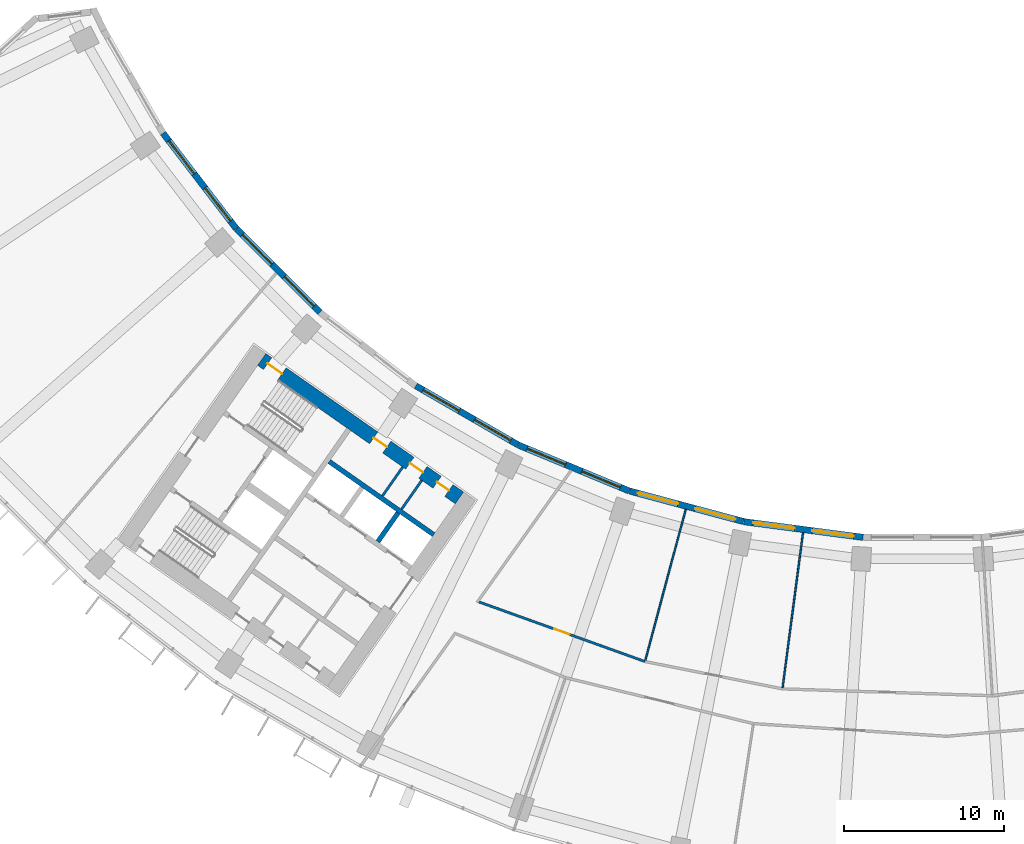
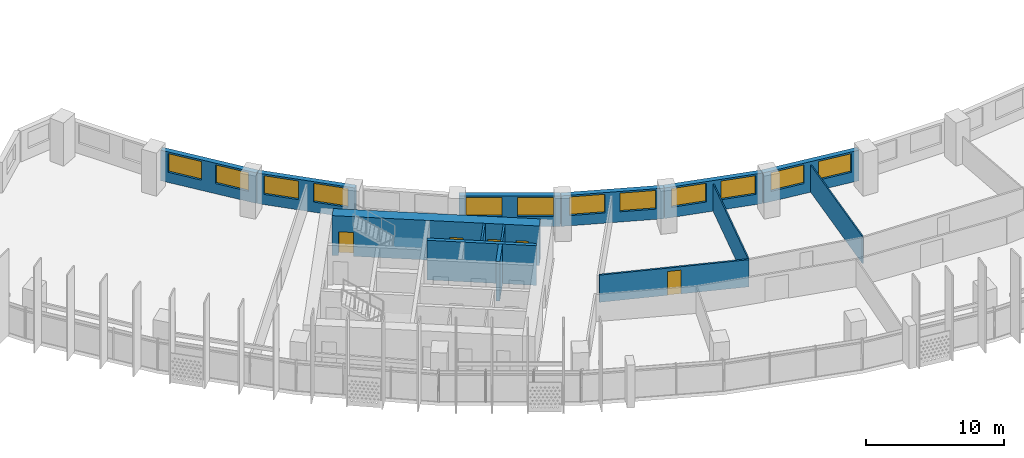
# One storey, part 4 of 30: 14 walls, 12 windows, 5 doors, 17 openings.
"""IFC4 building model written with IfcOpenShell, lengths in metres."""

from ifc_helpers import new_model, si_unit, direction, frame, frame_2d, origin, place, context, subcontext, project, spatial, rectangle, extrude, material, layer, layer_set, type_object, element, fill, save


model = new_model("IFC4")

# Units and contexts
model_context = context("Model", 3, precision=1e-05, world=origin(), true_north=direction((0.0, 1.0)))
body_context = subcontext(model_context, "Body", "Model", "MODEL_VIEW")
ifc_project = project(units=[si_unit("LENGTHUNIT", "METRE"), si_unit("AREAUNIT", "SQUARE_METRE"), si_unit("VOLUMEUNIT", "CUBIC_METRE"), si_unit("PLANEANGLEUNIT", "RADIAN"), si_unit("MASSUNIT", "GRAM", prefix="KILO")], contexts=[model_context])

# Site, building, storey
site_placement = place(None, origin())
site = spatial("IfcSite", under=ifc_project, at=site_placement, CompositionType="ELEMENT")
building_placement = place(site_placement, origin())
building = spatial("IfcBuilding", under=site, at=building_placement, Name="Qamariyya Broadcast Tower", CompositionType="ELEMENT")
storey_placement = place(building_placement, frame((0.0, 0.0, 102.5)))
storey = spatial("IfcBuildingStorey", under=building, at=storey_placement, Name="L22", CompositionType="ELEMENT", Elevation=102.5)

# Wall, openings, doors
ifc_material_1 = material(Name="Concrete C70/85", Category="concrete")
ifc_layer_1 = layer(ifc_material_1, 0.89990234375)
ifc_layer_set_1 = layer_set([ifc_layer_1], Name="Core wall 900 mm Concrete C70/85")
wall_type_1 = type_object("IfcWallType", Name="Core wall 900 mm Concrete C70/85", PredefinedType="SHEAR", material=ifc_layer_set_1)
wall_1_placement = place(storey_placement, frame((-28.8544921875, -54.32421875, 0.0), z_axis=(0.0, 0.0, 1.0), x_axis=(-0.819145767589, 0.573585400304, 0.0)))
wall_1 = element("IfcWall", 1, at=wall_1_placement, inside=storey, type_object=wall_type_1, Name="k-W-L22-WI", PredefinedType="SHEAR", context=body_context, shape_type="SweptSolid", body=[
    extrude(rectangle(XDim=15.04541015625, YDim=0.89990234375, at=frame_2d((7.522705078125, 0.0))), origin(), (0.0, 0.0, 1.0), 3.5),
])
opening_1_placement = place(wall_1_placement, frame((0.800048828125, 0.0, 0.0)))
opening_1 = element("IfcOpeningElement", 2, at=opening_1_placement, cuts=wall_1, Name="Opening KD5-W1", PredefinedType="OPENING", context=body_context, shape_type="SweptSolid", body=[
    extrude(rectangle(XDim=0.89990234375, YDim=2.10009765625, at=frame_2d((0.449951171875, 1.050048828125))), frame((0.0, 0.4599609375, 0.0), z_axis=(0.0, -1.0, 0.0), x_axis=(1.0, 0.0, 0.0)), (0.0, 0.0, 1.0), 0.919921875),
])
opening_2_placement = place(wall_1_placement, frame((2.77490234375, 0.0, 0.0)))
opening_2 = element("IfcOpeningElement", 3, at=opening_2_placement, cuts=wall_1, Name="Opening KD7-W1", PredefinedType="OPENING", context=body_context, shape_type="SweptSolid", body=[
    extrude(rectangle(XDim=1.0, YDim=2.10009765625, at=frame_2d((0.5, 1.050048828125))), frame((0.0, 0.4599609375, 0.0), z_axis=(0.0, -1.0, 0.0), x_axis=(1.0, 0.0, 0.0)), (0.0, 0.0, 1.0), 0.919921875),
])
opening_3_placement = place(wall_1_placement, frame((5.52490234375, 0.0, 0.0)))
opening_3 = element("IfcOpeningElement", 4, at=opening_3_placement, cuts=wall_1, Name="Opening KD6-W2", PredefinedType="OPENING", context=body_context, shape_type="SweptSolid", body=[
    extrude(rectangle(XDim=1.0, YDim=2.10009765625, at=frame_2d((0.5, 1.050048828125))), frame((0.0, 0.4599609375, 0.0), z_axis=(0.0, -1.0, 0.0), x_axis=(1.0, 0.0, 0.0)), (0.0, 0.0, 1.0), 0.919921875),
])
opening_4_placement = place(wall_1_placement, frame((13.495361328125, 0.0, 0.0)))
opening_4 = element("IfcOpeningElement", 5, at=opening_4_placement, cuts=wall_1, Name="Opening KD1-W1", PredefinedType="OPENING", context=body_context, shape_type="SweptSolid", body=[
    extrude(rectangle(XDim=1.10009765625, YDim=2.10009765625, at=frame_2d((0.550048828125, 1.050048828125))), frame((0.0, 0.4599609375, 0.0), z_axis=(0.0, -1.0, 0.0), x_axis=(1.0, 0.0, 0.0)), (0.0, 0.0, 1.0), 0.919921875),
])
ifc_material_2 = material(Name="Steel fire-resisting door leaf", Category="steel")
door_type_1 = type_object("IfcDoorType", Name="Accessible toilet door KD7", OperationType="SINGLE_SWING_LEFT", PredefinedType="DOOR", material=ifc_material_2)
door_1_placement = place(opening_2_placement, origin())
door_1 = element("IfcDoor", 6, at=door_1_placement, inside=storey, type_object=door_type_1, Name="k-W-L22-WI-D8", OperationType="SINGLE_SWING_LEFT", OverallHeight=2.10009765625, OverallWidth=1.0, PredefinedType="DOOR", context=body_context, shape_type="SweptSolid", body=[
    extrude(rectangle(XDim=1.0, YDim=2.10009765625, at=frame_2d((0.5, 1.050048828125))), frame((0.0, 0.02490234375, 0.0), z_axis=(0.0, -1.0, 0.0), x_axis=(1.0, 0.0, 0.0)), (0.0, 0.0, 1.0), 0.050048828125),
])
fill(opening_2, door_1)
door_type_2 = type_object("IfcDoorType", Name="Core room door KD6", OperationType="SINGLE_SWING_LEFT", PredefinedType="DOOR", material=ifc_material_2)
door_2_placement = place(opening_3_placement, origin())
door_2 = element("IfcDoor", 7, at=door_2_placement, inside=storey, type_object=door_type_2, Name="k-W-L22-WI-D9", OperationType="SINGLE_SWING_RIGHT", OverallHeight=2.10009765625, OverallWidth=1.0, PredefinedType="DOOR", context=body_context, shape_type="SweptSolid", body=[
    extrude(rectangle(XDim=1.0, YDim=2.10009765625, at=frame_2d((0.5, 1.050048828125))), frame((0.0, 0.02490234375, 0.0), z_axis=(0.0, -1.0, 0.0), x_axis=(1.0, 0.0, 0.0)), (0.0, 0.0, 1.0), 0.050048828125),
])
fill(opening_3, door_2)
door_type_3 = type_object("IfcDoorType", Name="Stair door KD1", OperationType="SINGLE_SWING_LEFT", PredefinedType="DOOR", material=ifc_material_2)
door_3_placement = place(opening_4_placement, origin())
door_3 = element("IfcDoor", 8, at=door_3_placement, inside=storey, type_object=door_type_3, Name="k-W-L22-WI-D16", OperationType="SINGLE_SWING_RIGHT", OverallHeight=2.10009765625, OverallWidth=1.10009765625, PredefinedType="DOOR", context=body_context, shape_type="SweptSolid", body=[
    extrude(rectangle(XDim=1.10009765625, YDim=2.10009765625, at=frame_2d((0.550048828125, 1.050048828125))), frame((0.0, 0.02490234375, 0.0), z_axis=(0.0, -1.0, 0.0), x_axis=(1.0, 0.0, 0.0)), (0.0, 0.0, 1.0), 0.050048828125),
])
fill(opening_4, door_3)
door_type_4 = type_object("IfcDoorType", Name="Toilet door KD5", OperationType="SINGLE_SWING_LEFT", PredefinedType="DOOR", material=ifc_material_2)
door_4_placement = place(opening_1_placement, origin())
door_4 = element("IfcDoor", 9, at=door_4_placement, inside=storey, type_object=door_type_4, Name="k-W-L22-WI-D7", OperationType="SINGLE_SWING_RIGHT", OverallHeight=2.10009765625, OverallWidth=0.89990234375, PredefinedType="DOOR", context=body_context, shape_type="SweptSolid", body=[
    extrude(rectangle(XDim=0.89990234375, YDim=2.10009765625, at=frame_2d((0.449951171875, 1.050048828125))), frame((0.0, 0.02490234375, 0.0), z_axis=(0.0, -1.0, 0.0), x_axis=(1.0, 0.0, 0.0)), (0.0, 0.0, 1.0), 0.050048828125),
])
fill(opening_1, door_4)

# Wall, opening, door
ifc_material_3 = material(Name="Gypsum board partition")
ifc_layer_2 = layer(ifc_material_3, 0.14990234375)
ifc_layer_set_2 = layer_set([ifc_layer_2], Name="Corridor partition 150 EI 60")
wall_type_2 = type_object("IfcWallType", Name="Corridor partition 150 EI 60", PredefinedType="PARTITIONING", material=ifc_layer_set_2)
wall_2_placement = place(storey_placement, frame((-27.64013671875, -60.806640625, 0.0), z_axis=(0.0, 0.0, 1.0), x_axis=(0.941150861554, -0.337986768669, 0.0)))
wall_2 = element("IfcWall", 10, at=wall_2_placement, inside=storey, type_object=wall_type_2, Name="Partition L22-004", PredefinedType="PARTITIONING", context=body_context, shape_type="SweptSolid", body=[
    extrude(rectangle(XDim=10.998291015625, YDim=0.14990234375, at=frame_2d((5.4990234375, 0.0))), origin(), (0.0, 0.0, 1.0), 2.39990234375),
])
opening_5_placement = place(wall_2_placement, frame((4.9990234375, 0.0, 0.0)))
opening_5 = element("IfcOpeningElement", 11, at=opening_5_placement, cuts=wall_2, Name="Opening L22-D05", PredefinedType="OPENING", context=body_context, shape_type="SweptSolid", body=[
    extrude(rectangle(XDim=1.0, YDim=2.10009765625, at=frame_2d((0.5, 1.050048828125))), frame((0.0, 0.0849609375, 0.0), z_axis=(0.0, -1.0, 0.0), x_axis=(1.0, 0.0, 0.0)), (0.0, 0.0, 1.0), 0.169921875),
])
ifc_material_4 = material(Name="Timber fire door leaf", Category="wood")
door_type_5 = type_object("IfcDoorType", Name="Fire door 1000 x 2100 FD60", OperationType="NOTDEFINED", PredefinedType="DOOR", material=ifc_material_4)
door_5_placement = place(opening_5_placement, origin())
door_5 = element("IfcDoor", 12, at=door_5_placement, inside=storey, type_object=door_type_5, Name="Door L22-D05", OperationType="SINGLE_SWING_RIGHT", OverallHeight=2.10009765625, OverallWidth=1.0, PredefinedType="DOOR", context=body_context, shape_type="SweptSolid", body=[
    extrude(rectangle(XDim=1.0, YDim=2.10009765625, at=frame_2d((0.5, 1.050048828125))), frame((0.0, 0.02490234375, 0.0), z_axis=(0.0, -1.0, 0.0), x_axis=(1.0, 0.0, 0.0)), (0.0, 0.0, 1.0), 0.050048828125),
])
fill(opening_5, door_5)

# Walls
ifc_material_5 = material(Name="Gypsum board partition on steel studs", Category="steel")
ifc_layer_3 = layer(ifc_material_5, 0.14990234375)
ifc_layer_set_3 = layer_set([ifc_layer_3], Name="Gypsum board partition 150 mm")
wall_type_3 = type_object("IfcWallType", Name="Gypsum board partition 150 mm", PredefinedType="PARTITIONING", material=ifc_layer_set_3)
wall_3_placement = place(storey_placement, frame((-32.46337890625, -55.0322265625, 0.0), z_axis=(0.0, 0.0, 1.0), x_axis=(0.573507030513, 0.819200638399, 0.0)))
element("IfcWall", 13, at=wall_3_placement, inside=storey, type_object=wall_type_3, Name="k-W-L22-NP255", PredefinedType="PARTITIONING", context=body_context, shape_type="SweptSolid", body=[
    extrude(rectangle(XDim=2.199951171875, YDim=0.14990234375, at=frame_2d((1.10009765625, 0.0))), origin(), (0.0, 0.0, 1.0), 3.5),
])
wall_4_placement = place(storey_placement, frame((-33.651123046875, -54.200439453125, 0.0), z_axis=(0.0, 0.0, 1.0), x_axis=(0.573559170999, 0.819164133348, 0.0)))
element("IfcWall", 14, at=wall_4_placement, inside=storey, type_object=wall_type_3, Name="k-W-L22-NP400", PredefinedType="PARTITIONING", context=body_context, shape_type="SweptSolid", body=[
    extrude(rectangle(XDim=2.19970703125, YDim=0.14990234375, at=frame_2d((1.099853515625, 0.0))), origin(), (0.0, 0.0, 1.0), 3.5),
])
ifc_material_6 = material(Name="Concrete C60/75", Category="concrete")
ifc_layer_4 = layer(ifc_material_6, 0.300048828125)
ifc_layer_set_4 = layer_set([ifc_layer_4], Name="Lift shaft wall 300 mm Concrete C60/75")
wall_type_4 = type_object("IfcWallType", Name="Lift shaft wall 300 mm Concrete C60/75", PredefinedType="SOLIDWALL", material=ifc_layer_set_4)
wall_5_placement = place(storey_placement, frame((-30.460693359375, -56.61767578125, 0.0), z_axis=(0.0, 0.0, 1.0), x_axis=(-0.819142461705, 0.573590121456, 0.0)))
element("IfcWall", 15, at=wall_5_placement, inside=storey, type_object=wall_type_4, Name="k-W-L22-NB0", PredefinedType="SOLIDWALL", context=body_context, shape_type="SweptSolid", body=[
    extrude(rectangle(XDim=7.949951171875, YDim=0.300048828125, at=frame_2d((3.97509765625, 0.0))), origin(), (0.0, 0.0, 1.0), 3.5),
])
wall_6_placement = place(storey_placement, frame((-33.9384765625, -57.051513671875, 0.0), z_axis=(0.0, 0.0, 1.0), x_axis=(0.573581496053, 0.819148501424, 0.0)))
element("IfcWall", 16, at=wall_6_placement, inside=storey, type_object=wall_type_4, Name="k-W-L22-ND0", PredefinedType="SOLIDWALL", context=body_context, shape_type="SweptSolid", body=[
    extrude(rectangle(XDim=2.2001953125, YDim=0.300048828125, at=frame_2d((1.10009765625, 0.0))), origin(), (0.0, 0.0, 1.0), 3.5),
])
ifc_layer_5 = layer(ifc_material_3, 0.10009765625)
ifc_layer_set_5 = layer_set([ifc_layer_5], Name="Partition 100")
wall_type_5 = type_object("IfcWallType", Name="Partition 100", PredefinedType="PARTITIONING", material=ifc_layer_set_5)
for number, where, z_axis, x_axis, name in (
    (17, (-14.7470703125, -55.037109375, 0.0), (0.0, 0.0, 1.0), (-0.258833329344, -0.965921998725, 0.0), "Partition L22-009"),
    (18, (-7.437255859375, -56.4912109375, 0.0), (0.0, 0.0, 1.0), (-0.13053421433, -0.99144380521, 0.0), "Partition L22-013"),
):
    element("IfcWall", number, at=place(storey_placement, frame(where, z_axis=z_axis, x_axis=x_axis)), inside=storey, type_object=wall_type_5, Name=name, PredefinedType="PARTITIONING", context=body_context, shape_type="SweptSolid", body=[
        extrude(rectangle(XDim=9.746337890625, YDim=0.10009765625, at=frame_2d((4.873046875, 0.0))), origin(), (0.0, 0.0, 1.0), 2.39990234375),
    ])

# Wall, openings, windows
ifc_material_7 = material(Name="Terracotta", Category="masonry")
ifc_layer_6 = layer(ifc_material_7, 0.39990234375)
ifc_layer_set_6 = layer_set([ifc_layer_6], Name="Terracotta clad wall 400")
wall_type_6 = type_object("IfcWallType", Name="Terracotta clad wall 400", PredefinedType="SOLIDWALL", material=ifc_layer_set_6)
wall_7_placement = place(storey_placement, frame((-42.764892578125, -37.536865234375, 0.0), z_axis=(0.0, 0.0, 1.0), x_axis=(-0.608748204711, 0.793363487476, 0.0)))
wall_7 = element("IfcWall", 19, at=wall_7_placement, inside=storey, type_object=wall_type_6, Name="e-wl-L22-in20", PredefinedType="SOLIDWALL", context=body_context, shape_type="SweptSolid", body=[
    extrude(rectangle(XDim=7.492919921875, YDim=0.39990234375, at=frame_2d((3.74658203125, 0.0))), origin(), (0.0, 0.0, 1.0), 2.699951171875),
])
opening_6_placement = place(wall_7_placement, frame((4.300537109375, 0.0, 0.89990234375)))
opening_6 = element("IfcOpeningElement", 20, at=opening_6_placement, cuts=wall_7, Name="Opening W1", PredefinedType="OPENING", context=body_context, shape_type="SweptSolid", body=[
    extrude(rectangle(XDim=2.60009765625, YDim=1.64990234375, at=frame_2d((1.300048828125, 0.824951171875))), frame((0.0, 0.2099609375, 0.0), z_axis=(0.0, -1.0, 0.0), x_axis=(1.0, 0.0, 0.0)), (0.0, 0.0, 1.0), 0.419921875),
])
opening_7_placement = place(wall_7_placement, frame((0.59228515625, 0.0, 0.89990234375)))
opening_7 = element("IfcOpeningElement", 21, at=opening_7_placement, cuts=wall_7, Name="Opening W1", PredefinedType="OPENING", context=body_context, shape_type="SweptSolid", body=[
    extrude(rectangle(XDim=2.60009765625, YDim=1.64990234375, at=frame_2d((1.300048828125, 0.824951171875))), frame((0.0, 0.2099609375, 0.0), z_axis=(0.0, -1.0, 0.0), x_axis=(1.0, 0.0, 0.0)), (0.0, 0.0, 1.0), 0.419921875),
])
ifc_material_8 = material(Name="Clear low-e double glazed unit in aluminium frame", Category="aluminium")
window_type = type_object("IfcWindowType", Name="Ribbon window 2600 x 1650", PartitioningType="SINGLE_PANEL", PredefinedType="WINDOW", material=ifc_material_8)
window_1_placement = place(opening_6_placement, origin())
window_1 = element("IfcWindow", 22, at=window_1_placement, inside=storey, type_object=window_type, Name="e-w-L22-in02-0", OverallHeight=1.64990234375, OverallWidth=2.60009765625, PartitioningType="SINGLE_PANEL", PredefinedType="WINDOW", context=body_context, shape_type="SweptSolid", body=[
    extrude(rectangle(XDim=2.60009765625, YDim=1.64990234375, at=frame_2d((1.300048828125, 0.824951171875))), frame((0.0, 0.030029296875, 0.0), z_axis=(0.0, -1.0, 0.0), x_axis=(1.0, 0.0, 0.0)), (0.0, 0.0, 1.0), 0.06005859375),
])
fill(opening_6, window_1)
window_2_placement = place(opening_7_placement, origin())
window_2 = element("IfcWindow", 23, at=window_2_placement, inside=storey, type_object=window_type, Name="e-w-L22-in02-1", OverallHeight=1.64990234375, OverallWidth=2.60009765625, PartitioningType="SINGLE_PANEL", PredefinedType="WINDOW", context=body_context, shape_type="SweptSolid", body=[
    extrude(rectangle(XDim=2.60009765625, YDim=1.64990234375, at=frame_2d((1.300048828125, 0.824951171875))), frame((0.0, 0.030029296875, 0.0), z_axis=(0.0, -1.0, 0.0), x_axis=(1.0, 0.0, 0.0)), (0.0, 0.0, 1.0), 0.06005859375),
])
fill(opening_7, window_2)

wall_8_placement = place(storey_placement, frame((-37.552978515625, -42.744140625, 0.0), z_axis=(0.0, 0.0, 1.0), x_axis=(-0.707106781187, 0.707106781187, 0.0)))
wall_8 = element("IfcWall", 24, at=wall_8_placement, inside=storey, type_object=wall_type_6, Name="e-wl-L22-in30", PredefinedType="SOLIDWALL", context=body_context, shape_type="SweptSolid", body=[
    extrude(rectangle(XDim=7.34130859375, YDim=0.39990234375, at=frame_2d((3.670654296875, 0.0))), origin(), (0.0, 0.0, 1.0), 2.699951171875),
])
opening_8_placement = place(wall_8_placement, frame((4.224853515625, 0.0, 0.89990234375)))
opening_8 = element("IfcOpeningElement", 25, at=opening_8_placement, cuts=wall_8, Name="Opening W1", PredefinedType="OPENING", context=body_context, shape_type="SweptSolid", body=[
    extrude(rectangle(XDim=2.60009765625, YDim=1.64990234375, at=frame_2d((1.300048828125, 0.824951171875))), frame((0.0, 0.2099609375, 0.0), z_axis=(0.0, -1.0, 0.0), x_axis=(1.0, 0.0, 0.0)), (0.0, 0.0, 1.0), 0.419921875),
])
opening_9_placement = place(wall_8_placement, frame((0.5166015625, 0.0, 0.89990234375)))
opening_9 = element("IfcOpeningElement", 26, at=opening_9_placement, cuts=wall_8, Name="Opening W1", PredefinedType="OPENING", context=body_context, shape_type="SweptSolid", body=[
    extrude(rectangle(XDim=2.60009765625, YDim=1.64990234375, at=frame_2d((1.300048828125, 0.824951171875))), frame((0.0, 0.2099609375, 0.0), z_axis=(0.0, -1.0, 0.0), x_axis=(1.0, 0.0, 0.0)), (0.0, 0.0, 1.0), 0.419921875),
])
window_3_placement = place(opening_8_placement, origin())
window_3 = element("IfcWindow", 27, at=window_3_placement, inside=storey, type_object=window_type, Name="e-w-L22-in03-0", OverallHeight=1.64990234375, OverallWidth=2.60009765625, PartitioningType="SINGLE_PANEL", PredefinedType="WINDOW", context=body_context, shape_type="SweptSolid", body=[
    extrude(rectangle(XDim=2.60009765625, YDim=1.64990234375, at=frame_2d((1.300048828125, 0.824951171875))), frame((0.0, 0.030029296875, 0.0), z_axis=(0.0, -1.0, 0.0), x_axis=(1.0, 0.0, 0.0)), (0.0, 0.0, 1.0), 0.06005859375),
])
fill(opening_8, window_3)
window_4_placement = place(opening_9_placement, origin())
window_4 = element("IfcWindow", 28, at=window_4_placement, inside=storey, type_object=window_type, Name="e-w-L22-in03-1", OverallHeight=1.64990234375, OverallWidth=2.60009765625, PartitioningType="SINGLE_PANEL", PredefinedType="WINDOW", context=body_context, shape_type="SweptSolid", body=[
    extrude(rectangle(XDim=2.60009765625, YDim=1.64990234375, at=frame_2d((1.300048828125, 0.824951171875))), frame((0.0, 0.030029296875, 0.0), z_axis=(0.0, -1.0, 0.0), x_axis=(1.0, 0.0, 0.0)), (0.0, 0.0, 1.0), 0.06005859375),
])
fill(opening_9, window_4)

wall_9_placement = place(storey_placement, frame((-25.21044921875, -51.007080078125, 0.0), z_axis=(0.0, 0.0, 1.0), x_axis=(-0.866030525931, 0.499991128077, 0.0)))
wall_9 = element("IfcWall", 29, at=wall_9_placement, inside=storey, type_object=wall_type_6, Name="e-wl-L22-in50", PredefinedType="SOLIDWALL", context=body_context, shape_type="SweptSolid", body=[
    extrude(rectangle(XDim=7.341552734375, YDim=0.39990234375, at=frame_2d((3.6708984375, 0.0))), origin(), (0.0, 0.0, 1.0), 2.699951171875),
])
opening_10_placement = place(wall_9_placement, frame((4.224853515625, 0.0, 0.89990234375)))
opening_10 = element("IfcOpeningElement", 30, at=opening_10_placement, cuts=wall_9, Name="Opening W1", PredefinedType="OPENING", context=body_context, shape_type="SweptSolid", body=[
    extrude(rectangle(XDim=2.60009765625, YDim=1.64990234375, at=frame_2d((1.300048828125, 0.824951171875))), frame((0.0, 0.2099609375, 0.0), z_axis=(0.0, -1.0, 0.0), x_axis=(1.0, 0.0, 0.0)), (0.0, 0.0, 1.0), 0.419921875),
])
opening_11_placement = place(wall_9_placement, frame((0.5166015625, 0.0, 0.89990234375)))
opening_11 = element("IfcOpeningElement", 31, at=opening_11_placement, cuts=wall_9, Name="Opening W1", PredefinedType="OPENING", context=body_context, shape_type="SweptSolid", body=[
    extrude(rectangle(XDim=2.60009765625, YDim=1.64990234375, at=frame_2d((1.300048828125, 0.824951171875))), frame((0.0, 0.2099609375, 0.0), z_axis=(0.0, -1.0, 0.0), x_axis=(1.0, 0.0, 0.0)), (0.0, 0.0, 1.0), 0.419921875),
])
window_5_placement = place(opening_10_placement, origin())
window_5 = element("IfcWindow", 32, at=window_5_placement, inside=storey, type_object=window_type, Name="e-w-L22-in05-0", OverallHeight=1.64990234375, OverallWidth=2.60009765625, PartitioningType="SINGLE_PANEL", PredefinedType="WINDOW", context=body_context, shape_type="SweptSolid", body=[
    extrude(rectangle(XDim=2.60009765625, YDim=1.64990234375, at=frame_2d((1.300048828125, 0.824951171875))), frame((0.0, 0.030029296875, 0.0), z_axis=(0.0, -1.0, 0.0), x_axis=(1.0, 0.0, 0.0)), (0.0, 0.0, 1.0), 0.06005859375),
])
fill(opening_10, window_5)
window_6_placement = place(opening_11_placement, origin())
window_6 = element("IfcWindow", 33, at=window_6_placement, inside=storey, type_object=window_type, Name="e-w-L22-in05-1", OverallHeight=1.64990234375, OverallWidth=2.60009765625, PartitioningType="SINGLE_PANEL", PredefinedType="WINDOW", context=body_context, shape_type="SweptSolid", body=[
    extrude(rectangle(XDim=2.60009765625, YDim=1.64990234375, at=frame_2d((1.300048828125, 0.824951171875))), frame((0.0, 0.030029296875, 0.0), z_axis=(0.0, -1.0, 0.0), x_axis=(1.0, 0.0, 0.0)), (0.0, 0.0, 1.0), 0.06005859375),
])
fill(opening_11, window_6)

wall_10_placement = place(storey_placement, frame((-18.266845703125, -53.890380859375, 0.0), z_axis=(0.0, 0.0, 1.0), x_axis=(-0.923879826967, 0.382682721486, 0.0)))
wall_10 = element("IfcWall", 34, at=wall_10_placement, inside=storey, type_object=wall_type_6, Name="e-wl-L22-in60", PredefinedType="SOLIDWALL", context=body_context, shape_type="SweptSolid", body=[
    extrude(rectangle(XDim=7.492919921875, YDim=0.39990234375, at=frame_2d((3.74658203125, 0.0))), origin(), (0.0, 0.0, 1.0), 2.699951171875),
])
opening_12_placement = place(wall_10_placement, frame((4.300537109375, 0.0, 0.89990234375)))
opening_12 = element("IfcOpeningElement", 35, at=opening_12_placement, cuts=wall_10, Name="Opening W1", PredefinedType="OPENING", context=body_context, shape_type="SweptSolid", body=[
    extrude(rectangle(XDim=2.60009765625, YDim=1.64990234375, at=frame_2d((1.300048828125, 0.824951171875))), frame((0.0, 0.2099609375, 0.0), z_axis=(0.0, -1.0, 0.0), x_axis=(1.0, 0.0, 0.0)), (0.0, 0.0, 1.0), 0.419921875),
])
opening_13_placement = place(wall_10_placement, frame((0.59228515625, 0.0, 0.89990234375)))
opening_13 = element("IfcOpeningElement", 36, at=opening_13_placement, cuts=wall_10, Name="Opening W1", PredefinedType="OPENING", context=body_context, shape_type="SweptSolid", body=[
    extrude(rectangle(XDim=2.60009765625, YDim=1.64990234375, at=frame_2d((1.300048828125, 0.824951171875))), frame((0.0, 0.2099609375, 0.0), z_axis=(0.0, -1.0, 0.0), x_axis=(1.0, 0.0, 0.0)), (0.0, 0.0, 1.0), 0.419921875),
])
window_7_placement = place(opening_12_placement, origin())
window_7 = element("IfcWindow", 37, at=window_7_placement, inside=storey, type_object=window_type, Name="e-w-L22-in06-0", OverallHeight=1.64990234375, OverallWidth=2.60009765625, PartitioningType="SINGLE_PANEL", PredefinedType="WINDOW", context=body_context, shape_type="SweptSolid", body=[
    extrude(rectangle(XDim=2.60009765625, YDim=1.64990234375, at=frame_2d((1.300048828125, 0.824951171875))), frame((0.0, 0.030029296875, 0.0), z_axis=(0.0, -1.0, 0.0), x_axis=(1.0, 0.0, 0.0)), (0.0, 0.0, 1.0), 0.06005859375),
])
fill(opening_12, window_7)
window_8_placement = place(opening_13_placement, origin())
window_8 = element("IfcWindow", 38, at=window_8_placement, inside=storey, type_object=window_type, Name="e-w-L22-in06-1", OverallHeight=1.64990234375, OverallWidth=2.60009765625, PartitioningType="SINGLE_PANEL", PredefinedType="WINDOW", context=body_context, shape_type="SweptSolid", body=[
    extrude(rectangle(XDim=2.60009765625, YDim=1.64990234375, at=frame_2d((1.300048828125, 0.824951171875))), frame((0.0, 0.030029296875, 0.0), z_axis=(0.0, -1.0, 0.0), x_axis=(1.0, 0.0, 0.0)), (0.0, 0.0, 1.0), 0.06005859375),
])
fill(opening_13, window_8)

wall_11_placement = place(storey_placement, frame((-11.149658203125, -55.7939453125, 0.0), z_axis=(0.0, 0.0, 1.0), x_axis=(-0.965924597867, 0.258823629594, 0.0)))
wall_11 = element("IfcWall", 39, at=wall_11_placement, inside=storey, type_object=wall_type_6, Name="e-wl-L22-in70", PredefinedType="SOLIDWALL", context=body_context, shape_type="SweptSolid", body=[
    extrude(rectangle(XDim=7.341552734375, YDim=0.39990234375, at=frame_2d((3.6708984375, 0.0))), origin(), (0.0, 0.0, 1.0), 2.699951171875),
])
opening_14_placement = place(wall_11_placement, frame((4.224853515625, 0.0, 0.89990234375)))
opening_14 = element("IfcOpeningElement", 40, at=opening_14_placement, cuts=wall_11, Name="Opening W1", PredefinedType="OPENING", context=body_context, shape_type="SweptSolid", body=[
    extrude(rectangle(XDim=2.60009765625, YDim=1.64990234375, at=frame_2d((1.300048828125, 0.824951171875))), frame((0.0, 0.2099609375, 0.0), z_axis=(0.0, -1.0, 0.0), x_axis=(1.0, 0.0, 0.0)), (0.0, 0.0, 1.0), 0.419921875),
])
opening_15_placement = place(wall_11_placement, frame((0.5166015625, 0.0, 0.89990234375)))
opening_15 = element("IfcOpeningElement", 41, at=opening_15_placement, cuts=wall_11, Name="Opening W1", PredefinedType="OPENING", context=body_context, shape_type="SweptSolid", body=[
    extrude(rectangle(XDim=2.60009765625, YDim=1.64990234375, at=frame_2d((1.300048828125, 0.824951171875))), frame((0.0, 0.2099609375, 0.0), z_axis=(0.0, -1.0, 0.0), x_axis=(1.0, 0.0, 0.0)), (0.0, 0.0, 1.0), 0.419921875),
])
window_9_placement = place(opening_14_placement, origin())
window_9 = element("IfcWindow", 42, at=window_9_placement, inside=storey, type_object=window_type, Name="e-w-L22-in07-0", OverallHeight=1.64990234375, OverallWidth=2.60009765625, PartitioningType="SINGLE_PANEL", PredefinedType="WINDOW", context=body_context, shape_type="SweptSolid", body=[
    extrude(rectangle(XDim=2.60009765625, YDim=1.64990234375, at=frame_2d((1.300048828125, 0.824951171875))), frame((0.0, 0.030029296875, 0.0), z_axis=(0.0, -1.0, 0.0), x_axis=(1.0, 0.0, 0.0)), (0.0, 0.0, 1.0), 0.06005859375),
])
fill(opening_14, window_9)
window_10_placement = place(opening_15_placement, origin())
window_10 = element("IfcWindow", 43, at=window_10_placement, inside=storey, type_object=window_type, Name="e-w-L22-in07-1", OverallHeight=1.64990234375, OverallWidth=2.60009765625, PartitioningType="SINGLE_PANEL", PredefinedType="WINDOW", context=body_context, shape_type="SweptSolid", body=[
    extrude(rectangle(XDim=2.60009765625, YDim=1.64990234375, at=frame_2d((1.300048828125, 0.824951171875))), frame((0.0, 0.030029296875, 0.0), z_axis=(0.0, -1.0, 0.0), x_axis=(1.0, 0.0, 0.0)), (0.0, 0.0, 1.0), 0.06005859375),
])
fill(opening_15, window_10)

wall_12_placement = place(storey_placement, frame((-3.69677734375, -56.781982421875, 0.0), z_axis=(0.0, 0.0, 1.0), x_axis=(-0.991444533306, 0.130528684121, 0.0)))
wall_12 = element("IfcWall", 44, at=wall_12_placement, inside=storey, type_object=wall_type_6, Name="e-wl-L22-in80", PredefinedType="SOLIDWALL", context=body_context, shape_type="SweptSolid", body=[
    extrude(rectangle(XDim=7.492919921875, YDim=0.39990234375, at=frame_2d((3.74658203125, 0.0))), origin(), (0.0, 0.0, 1.0), 2.699951171875),
])
opening_16_placement = place(wall_12_placement, frame((4.300537109375, 0.0, 0.89990234375)))
opening_16 = element("IfcOpeningElement", 45, at=opening_16_placement, cuts=wall_12, Name="Opening W1", PredefinedType="OPENING", context=body_context, shape_type="SweptSolid", body=[
    extrude(rectangle(XDim=2.60009765625, YDim=1.64990234375, at=frame_2d((1.300048828125, 0.824951171875))), frame((0.0, 0.2099609375, 0.0), z_axis=(0.0, -1.0, 0.0), x_axis=(1.0, 0.0, 0.0)), (0.0, 0.0, 1.0), 0.419921875),
])
opening_17_placement = place(wall_12_placement, frame((0.59228515625, 0.0, 0.89990234375)))
opening_17 = element("IfcOpeningElement", 46, at=opening_17_placement, cuts=wall_12, Name="Opening W1", PredefinedType="OPENING", context=body_context, shape_type="SweptSolid", body=[
    extrude(rectangle(XDim=2.60009765625, YDim=1.64990234375, at=frame_2d((1.300048828125, 0.824951171875))), frame((0.0, 0.2099609375, 0.0), z_axis=(0.0, -1.0, 0.0), x_axis=(1.0, 0.0, 0.0)), (0.0, 0.0, 1.0), 0.419921875),
])
window_11_placement = place(opening_16_placement, origin())
window_11 = element("IfcWindow", 47, at=window_11_placement, inside=storey, type_object=window_type, Name="e-w-L22-in08-0", OverallHeight=1.64990234375, OverallWidth=2.60009765625, PartitioningType="SINGLE_PANEL", PredefinedType="WINDOW", context=body_context, shape_type="SweptSolid", body=[
    extrude(rectangle(XDim=2.60009765625, YDim=1.64990234375, at=frame_2d((1.300048828125, 0.824951171875))), frame((0.0, 0.030029296875, 0.0), z_axis=(0.0, -1.0, 0.0), x_axis=(1.0, 0.0, 0.0)), (0.0, 0.0, 1.0), 0.06005859375),
])
fill(opening_16, window_11)
window_12_placement = place(opening_17_placement, origin())
window_12 = element("IfcWindow", 48, at=window_12_placement, inside=storey, type_object=window_type, Name="e-w-L22-in08-1", OverallHeight=1.64990234375, OverallWidth=2.60009765625, PartitioningType="SINGLE_PANEL", PredefinedType="WINDOW", context=body_context, shape_type="SweptSolid", body=[
    extrude(rectangle(XDim=2.60009765625, YDim=1.64990234375, at=frame_2d((1.300048828125, 0.824951171875))), frame((0.0, 0.030029296875, 0.0), z_axis=(0.0, -1.0, 0.0), x_axis=(1.0, 0.0, 0.0)), (0.0, 0.0, 1.0), 0.06005859375),
])
fill(opening_17, window_12)

save(model, "model.ifc")
